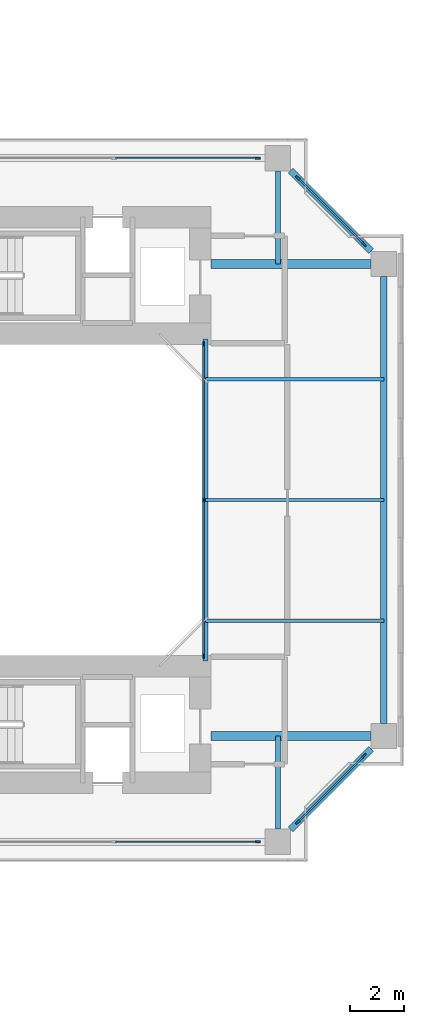
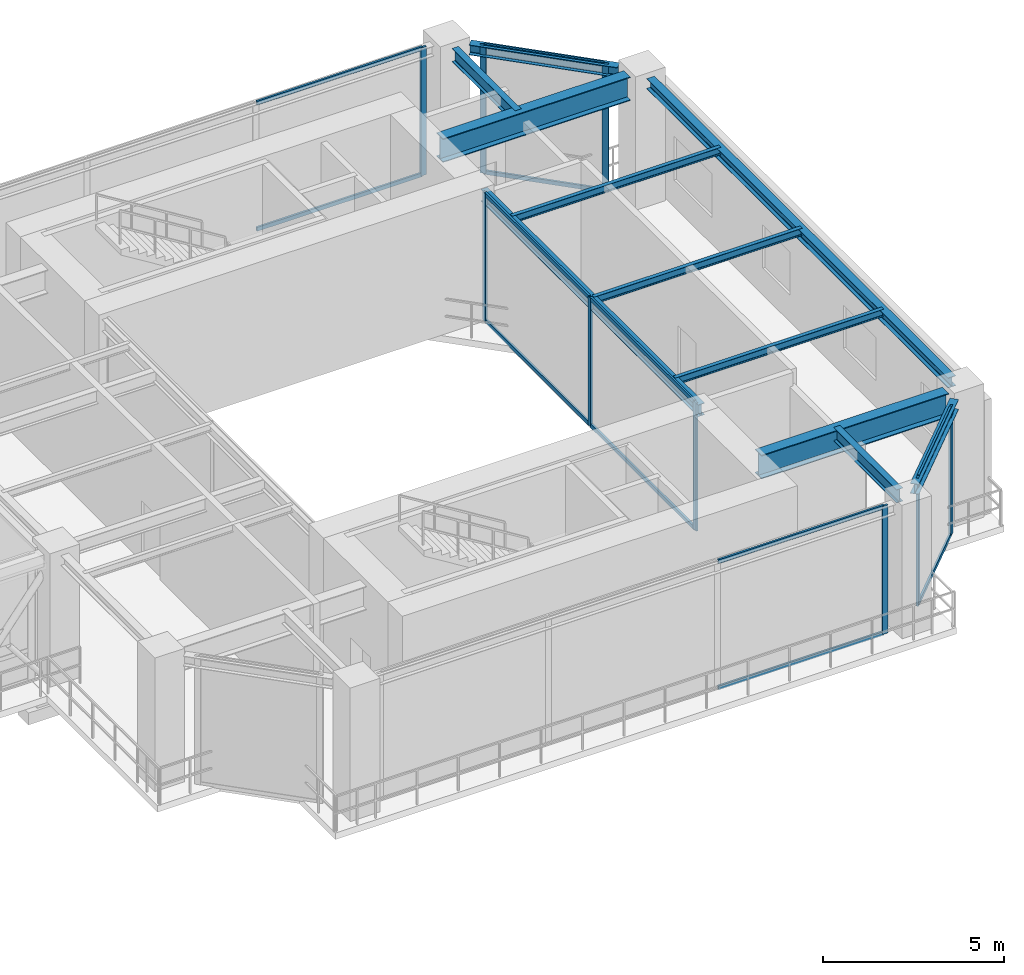
# One storey, part 10 of 26: 21 members, 11 beams, 5 elements without a shape of their own.
"""IFC4 building model written with IfcOpenShell, lengths in metres."""

from ifc_helpers import new_model, si_unit, direction, frame, origin, origin_2d, place, context, subcontext, project, spatial, rectangle, i_section, extrude, source, transform, mapped, material, layer, layer_set, material_profile, profile_set, type_object, element, aggregate, save


model = new_model("IFC4")

# Units and contexts
model_context = context("Model", 3, precision=1e-05, world=origin(), true_north=direction((0.0, 1.0)))
body_context = subcontext(model_context, "Body", "Model", "MODEL_VIEW")
ifc_project = project(units=[si_unit("LENGTHUNIT", "METRE"), si_unit("AREAUNIT", "SQUARE_METRE"), si_unit("VOLUMEUNIT", "CUBIC_METRE"), si_unit("PLANEANGLEUNIT", "RADIAN"), si_unit("MASSUNIT", "GRAM", prefix="KILO"), si_unit("THERMODYNAMICTEMPERATUREUNIT", "KELVIN"), si_unit("POWERUNIT", "WATT")], contexts=[model_context])

# Site, building, storey
site_placement = place(None, origin())
site = spatial("IfcSite", under=ifc_project, at=site_placement, CompositionType="ELEMENT")
building_placement = place(site_placement, origin())
building = spatial("IfcBuilding", under=site, at=building_placement, Name="Qiaomeng Ring Towers", CompositionType="ELEMENT")
storey_placement = place(building_placement, frame((0.0, 0.0, 45.75)))
storey = spatial("IfcBuildingStorey", under=building, at=storey_placement, Name="L12", CompositionType="ELEMENT", Elevation=45.75)

# Beams
ifc_material_1 = material(Name="Steel Q355B", Category="steel")
ifc_material_profile_1 = material_profile(ifc_material_1, i_section(OverallWidth=0.25, OverallDepth=0.340087890625, WebThickness=0.009033203125, FlangeThickness=0.013916015625, FilletRadius=0.02001953125, at=origin_2d()), Name="HM 340x250x9x14")
ifc_profile_set_1 = profile_set([ifc_material_profile_1], Name="Steel Q355B")
beam_type_1 = type_object("IfcBeamType", Name="STR-BM-HM340", PredefinedType="SPANDREL", material=ifc_profile_set_1)
shared_shape_1 = source(origin(), body_context, "Body", "SweptSolid", [
    extrude(i_section(OverallWidth=0.25, OverallDepth=0.340087890625, WebThickness=0.009033203125, FlangeThickness=0.013916015625, FilletRadius=0.02001953125, at=origin_2d()), origin(), (0.0, 0.0, 1.0), 16.65185546875),
])
beam_1_placement = place(storey_placement, frame((73.25, 14.674072265625, 4.14990234375), z_axis=(0.0, 1.0, 0.0), x_axis=(-1.0, 0.0, 0.0)))
element("IfcBeam", 1, at=beam_1_placement, inside=storey, type_object=beam_type_1, Name="L12 beam STR-SP-L12-T2-E1-E2", PredefinedType="SPANDREL", context=body_context, shape_type="MappedRepresentation", body=[
    mapped(shared_shape_1, transform((0.0, 0.0, 0.0), x_axis=(1.0, 0.0, 0.0), y_axis=(0.0, 1.0, 0.0), z_axis=(0.0, 0.0, 1.0), scale=1.0)),
])
shared_shape_2 = source(origin(), body_context, "Body", "SweptSolid", [
    extrude(i_section(OverallWidth=0.25, OverallDepth=0.340087890625, WebThickness=0.009033203125, FlangeThickness=0.013916015625, FilletRadius=0.02001953125, at=origin_2d()), origin(), (0.0, 0.0, 1.0), 4.244384765625),
])
for number, where, z_axis, x_axis, name in (
    (2, (69.7744140625, 10.724365234375, 4.14990234375), (0.707106781187, 0.707106781187, 0.0), (-0.707106781187, 0.707106781187, 0.0), "L12 beam STR-SP-L12-T2-S2-E1"),
    (3, (72.775634765625, 32.2744140625, 4.14990234375), (-0.707106781187, 0.707106781187, 0.0), (-0.707106781187, -0.707106781187, 0.0), "L12 beam STR-SP-L12-T2-E2-N2"),
):
    element("IfcBeam", number, at=place(storey_placement, frame(where, z_axis=z_axis, x_axis=x_axis)), inside=storey, type_object=beam_type_1, Name=name, PredefinedType="SPANDREL", context=body_context, shape_type="MappedRepresentation", body=[
        mapped(shared_shape_2, transform((0.0, 0.0, 0.0), x_axis=(1.0, 0.0, 0.0), y_axis=(0.0, 1.0, 0.0), z_axis=(0.0, 0.0, 1.0), scale=1.0)),
    ])
ifc_material_profile_2 = material_profile(ifc_material_1, i_section(OverallWidth=0.199951171875, OverallDepth=0.39990234375, WebThickness=0.008056640625, FlangeThickness=0.012939453125, FilletRadius=0.01611328125, at=origin_2d()), Name="HN 400x200x8x13")
ifc_profile_set_2 = profile_set([ifc_material_profile_2], Name="Steel Q355B")
beam_type_2 = type_object("IfcBeamType", Name="STR-BM-HN400", PredefinedType="SPANDREL", material=ifc_profile_set_2)
shared_shape_3 = source(origin(), body_context, "Body", "SweptSolid", [
    extrude(i_section(OverallWidth=0.199951171875, OverallDepth=0.39990234375, WebThickness=0.008056640625, FlangeThickness=0.012939453125, FilletRadius=0.01611328125, at=origin_2d()), origin(), (0.0, 0.0, 1.0), 12.0),
])
beam_2_placement = place(storey_placement, frame((66.60009765625, 17.0, 4.1201171875), z_axis=(0.0, 1.0, 0.0), x_axis=(-1.0, 0.0, 0.0)))
element("IfcBeam", 4, at=beam_2_placement, inside=storey, type_object=beam_type_2, Name="L12 beam STR-BM-L12-T2-WELL-E", PredefinedType="SPANDREL", context=body_context, shape_type="MappedRepresentation", body=[
    mapped(shared_shape_3, transform((0.0, 0.0, 0.0), x_axis=(1.0, 0.0, 0.0), y_axis=(0.0, 1.0, 0.0), z_axis=(0.0, 0.0, 1.0), scale=1.0)),
])
ifc_material_2 = material(Name="Steel Q390GJC", Category="steel")
ifc_material_profile_3 = material_profile(ifc_material_2, i_section(OverallWidth=0.35009765625, OverallDepth=0.800048828125, WebThickness=0.01611328125, FlangeThickness=0.028076171875, at=origin_2d()), Name="WH 800x350x16x28")
ifc_profile_set_3 = profile_set([ifc_material_profile_3], Name="Steel Q390GJC")
beam_type_3 = type_object("IfcBeamType", Name="STR-BM-WH800", PredefinedType="BEAM", material=ifc_profile_set_3)
shared_shape_4 = source(origin(), body_context, "Body", "SweptSolid", [
    extrude(i_section(OverallWidth=0.35009765625, OverallDepth=0.800048828125, WebThickness=0.01611328125, FlangeThickness=0.028076171875, at=origin_2d()), origin(), (0.0, 0.0, 1.0), 5.975830078125),
])
for number, where, z_axis, x_axis, name in (
    (5, (66.800048828125, 14.199951171875, 3.919921875), (1.0, 0.0, 0.0), (0.0, 1.0, 0.0), "L12 beam STR-BM-L12-T2-RAD-E1"),
    (6, (66.800048828125, 31.800048828125, 3.919921875), (1.0, 0.0, 0.0), (0.0, 1.0, 0.0), "L12 beam STR-BM-L12-T2-RAD-E2"),
):
    element("IfcBeam", number, at=place(storey_placement, frame(where, z_axis=z_axis, x_axis=x_axis)), inside=storey, type_object=beam_type_3, Name=name, PredefinedType="BEAM", context=body_context, shape_type="MappedRepresentation", body=[
        mapped(shared_shape_4, transform((0.0, 0.0, 0.0), x_axis=(1.0, 0.0, 0.0), y_axis=(0.0, 1.0, 0.0), z_axis=(0.0, 0.0, 1.0), scale=1.0)),
    ])
ifc_material_profile_4 = material_profile(ifc_material_1, i_section(OverallWidth=0.199951171875, OverallDepth=0.449951171875, WebThickness=0.009033203125, FlangeThickness=0.013916015625, FilletRadius=0.01806640625, at=origin_2d()), Name="HN 450x200x9x14")
ifc_profile_set_4 = profile_set([ifc_material_profile_4], Name="Steel Q355B")
beam_type_4 = type_object("IfcBeamType", Name="STR-BM-HN450", PredefinedType="SPANDREL", material=ifc_profile_set_4)
shared_shape_5 = source(origin(), body_context, "Body", "SweptSolid", [
    extrude(i_section(OverallWidth=0.199951171875, OverallDepth=0.449951171875, WebThickness=0.009033203125, FlangeThickness=0.013916015625, FilletRadius=0.01806640625, at=origin_2d()), origin(), (0.0, 0.0, 1.0), 3.475830078125),
])
for number, where, z_axis, x_axis, name in (
    (7, (69.300048828125, 35.27587890625, 4.094970703125), (0.0, -1.0, 0.0), (1.0, 0.0, 0.0), "L12 beam STR-BM-L12-T2-RAD-N2"),
    (8, (69.300048828125, 10.72412109375, 4.094970703125), (0.0, 1.0, 0.0), (-1.0, 0.0, 0.0), "L12 beam STR-BM-L12-T2-RAD-S2"),
):
    element("IfcBeam", number, at=place(storey_placement, frame(where, z_axis=z_axis, x_axis=x_axis)), inside=storey, type_object=beam_type_4, Name=name, PredefinedType="SPANDREL", context=body_context, shape_type="MappedRepresentation", body=[
        mapped(shared_shape_5, transform((0.0, 0.0, 0.0), x_axis=(1.0, 0.0, 0.0), y_axis=(0.0, 1.0, 0.0), z_axis=(0.0, 0.0, 1.0), scale=1.0)),
    ])
ifc_material_profile_5 = material_profile(ifc_material_1, i_section(OverallWidth=0.125, OverallDepth=0.25, WebThickness=0.006103515625, FlangeThickness=0.009033203125, FilletRadius=0.011962890625, at=origin_2d()), Name="HN 250x125x6x9")
ifc_profile_set_5 = profile_set([ifc_material_profile_5], Name="Steel Q355B")
beam_type_5 = type_object("IfcBeamType", Name="STR-BM-HN250", PredefinedType="JOIST", material=ifc_profile_set_5)
shared_shape_6 = source(origin(), body_context, "Body", "SweptSolid", [
    extrude(i_section(OverallWidth=0.125, OverallDepth=0.25, WebThickness=0.006103515625, FlangeThickness=0.009033203125, FilletRadius=0.011962890625, at=origin_2d()), origin(), (0.0, 0.0, 1.0), 6.64990234375),
])
for number, where, z_axis, x_axis, name in (
    (9, (66.60009765625, 18.5, 4.195068359375), (1.0, 0.0, 0.0), (0.0, 1.0, 0.0), "L12 beam STR-JST-L12-T2E-1"),
    (10, (66.60009765625, 23.0, 4.195068359375), (1.0, 0.0, 0.0), (0.0, 1.0, 0.0), "L12 beam STR-JST-L12-T2E-2"),
    (11, (66.60009765625, 27.5, 4.195068359375), (1.0, 0.0, 0.0), (0.0, 1.0, 0.0), "L12 beam STR-JST-L12-T2E-3"),
):
    element("IfcBeam", number, at=place(storey_placement, frame(where, z_axis=z_axis, x_axis=x_axis)), inside=storey, type_object=beam_type_5, Name=name, PredefinedType="JOIST", context=body_context, shape_type="MappedRepresentation", body=[
        mapped(shared_shape_6, transform((0.0, 0.0, 0.0), x_axis=(1.0, 0.0, 0.0), y_axis=(0.0, 1.0, 0.0), z_axis=(0.0, 0.0, 1.0), scale=1.0)),
    ])

# Curtain wall, members
ifc_material_3 = material(Name="Fluorocarbon dark-grey aluminium", Category="aluminium")
ifc_layer_1 = layer(ifc_material_3, 0.139892578125, Name="Fluorocarbon dark-grey aluminium")
ifc_layer_set_1 = layer_set([ifc_layer_1], Name="Fluorocarbon dark-grey aluminium")
curtain_wall_type_1 = type_object("IfcCurtainWallType", Name="ARC-CW-4", PredefinedType="NOTDEFINED", material=ifc_layer_set_1)
curtain_wall_1_placement = place(storey_placement, origin())
curtain_wall_1 = element("IfcCurtainWall", 12, at=curtain_wall_1_placement, inside=storey, type_object=curtain_wall_type_1, Name="L12 Curtain Wall CW4", PredefinedType="NOTDEFINED")
ifc_material_profile_6 = material_profile(ifc_material_3, rectangle(XDim=0.06494140625, YDim=0.1298828125, at=origin_2d()), Name="ALU TRAN 65x130")
ifc_profile_set_6 = profile_set([ifc_material_profile_6], Name="Fluorocarbon dark-grey aluminium")
member_type_1 = type_object("IfcMemberType", Name="ARC-CWT-120", PredefinedType="USERDEFINED", material=ifc_profile_set_6)
shared_shape_7 = source(origin(), body_context, "Body", "SweptSolid", [
    extrude(rectangle(XDim=0.06494140625, YDim=0.1298828125, at=origin_2d()), origin(), (0.0, 0.0, 1.0), 5.75244140625),
])
member_1_placement = place(storey_placement, frame((66.52001953125, 17.215087890625, 0.032470703125), z_axis=(0.0, 1.0, 0.0), x_axis=(-1.0, 0.0, 0.0)))
member_1 = element("IfcMember", 13, at=member_1_placement, type_object=member_type_1, Name="CW4 transom 1.1", ObjectType="TRANSOM", PredefinedType="USERDEFINED", context=body_context, shape_type="MappedRepresentation", body=[
    mapped(shared_shape_7, transform((0.0, 0.0, 0.0), x_axis=(1.0, 0.0, 0.0), y_axis=(0.0, 1.0, 0.0), z_axis=(0.0, 0.0, 1.0), scale=1.0)),
])
member_2_placement = place(storey_placement, frame((66.52001953125, 17.215087890625, 4.28759765625), z_axis=(0.0, 1.0, 0.0), x_axis=(-1.0, 0.0, 0.0)))
member_2 = element("IfcMember", 14, at=member_2_placement, type_object=member_type_1, Name="CW4 transom 1.2", ObjectType="TRANSOM", PredefinedType="USERDEFINED", context=body_context, shape_type="MappedRepresentation", body=[
    mapped(shared_shape_7, transform((0.0, 0.0, 0.0), x_axis=(1.0, 0.0, 0.0), y_axis=(0.0, 1.0, 0.0), z_axis=(0.0, 0.0, 1.0), scale=1.0)),
])
member_3_placement = place(storey_placement, frame((66.52001953125, 23.032470703125, 0.032470703125), z_axis=(0.0, 1.0, 0.0), x_axis=(-1.0, 0.0, 0.0)))
member_3 = element("IfcMember", 15, at=member_3_placement, type_object=member_type_1, Name="CW4 transom 2.1", ObjectType="TRANSOM", PredefinedType="USERDEFINED", context=body_context, shape_type="MappedRepresentation", body=[
    mapped(shared_shape_7, transform((0.0, 0.0, 0.0), x_axis=(1.0, 0.0, 0.0), y_axis=(0.0, 1.0, 0.0), z_axis=(0.0, 0.0, 1.0), scale=1.0)),
])
member_4_placement = place(storey_placement, frame((66.52001953125, 23.032470703125, 4.28759765625), z_axis=(0.0, 1.0, 0.0), x_axis=(-1.0, 0.0, 0.0)))
member_4 = element("IfcMember", 16, at=member_4_placement, type_object=member_type_1, Name="CW4 transom 2.2", ObjectType="TRANSOM", PredefinedType="USERDEFINED", context=body_context, shape_type="MappedRepresentation", body=[
    mapped(shared_shape_7, transform((0.0, 0.0, 0.0), x_axis=(1.0, 0.0, 0.0), y_axis=(0.0, 1.0, 0.0), z_axis=(0.0, 0.0, 1.0), scale=1.0)),
])

ifc_layer_2 = layer(ifc_material_3, 0.14990234375, Name="Fluorocarbon dark-grey aluminium")
ifc_layer_set_2 = layer_set([ifc_layer_2], Name="Fluorocarbon dark-grey aluminium")
curtain_wall_type_2 = type_object("IfcCurtainWallType", Name="ARC-CW-5", PredefinedType="NOTDEFINED", material=ifc_layer_set_2)
curtain_wall_2_placement = place(storey_placement, origin())
curtain_wall_2 = element("IfcCurtainWall", 17, at=curtain_wall_2_placement, inside=storey, type_object=curtain_wall_type_2, Name="L12 Curtain Wall CW5", PredefinedType="NOTDEFINED")
shared_shape_8 = source(origin(), body_context, "Body", "SweptSolid", [
    extrude(rectangle(XDim=0.06494140625, YDim=0.1298828125, at=origin_2d()), origin(), (0.0, 0.0, 1.0), 5.284912109375),
])
member_5_placement = place(storey_placement, frame((63.22998046875, 35.75, 0.032470703125), z_axis=(1.0, 0.0, 0.0), x_axis=(0.0, 1.0, 0.0)))
member_5 = element("IfcMember", 18, at=member_5_placement, type_object=member_type_1, Name="CW5 transom 3.1", ObjectType="TRANSOM", PredefinedType="USERDEFINED", context=body_context, shape_type="MappedRepresentation", body=[
    mapped(shared_shape_8, transform((0.0, 0.0, 0.0), x_axis=(1.0, 0.0, 0.0), y_axis=(0.0, 1.0, 0.0), z_axis=(0.0, 0.0, 1.0), scale=1.0)),
])
member_6_placement = place(storey_placement, frame((63.22998046875, 35.75, 4.28759765625), z_axis=(1.0, 0.0, 0.0), x_axis=(0.0, 1.0, 0.0)))
member_6 = element("IfcMember", 19, at=member_6_placement, type_object=member_type_1, Name="CW5 transom 3.2", ObjectType="TRANSOM", PredefinedType="USERDEFINED", context=body_context, shape_type="MappedRepresentation", body=[
    mapped(shared_shape_8, transform((0.0, 0.0, 0.0), x_axis=(1.0, 0.0, 0.0), y_axis=(0.0, 1.0, 0.0), z_axis=(0.0, 0.0, 1.0), scale=1.0)),
])

curtain_wall_3_placement = place(storey_placement, origin())
curtain_wall_3 = element("IfcCurtainWall", 20, at=curtain_wall_3_placement, inside=storey, type_object=curtain_wall_type_2, Name="L12 Curtain Wall CW5", PredefinedType="NOTDEFINED")
member_7_placement = place(storey_placement, frame((63.22998046875, 10.25, 0.032470703125), z_axis=(1.0, 0.0, 0.0), x_axis=(0.0, 1.0, 0.0)))
member_7 = element("IfcMember", 21, at=member_7_placement, type_object=member_type_1, Name="CW5 transom 3.1", ObjectType="TRANSOM", PredefinedType="USERDEFINED", context=body_context, shape_type="MappedRepresentation", body=[
    mapped(shared_shape_8, transform((0.0, 0.0, 0.0), x_axis=(1.0, 0.0, 0.0), y_axis=(0.0, 1.0, 0.0), z_axis=(0.0, 0.0, 1.0), scale=1.0)),
])
member_8_placement = place(storey_placement, frame((63.22998046875, 10.25, 4.28759765625), z_axis=(1.0, 0.0, 0.0), x_axis=(0.0, 1.0, 0.0)))
member_8 = element("IfcMember", 22, at=member_8_placement, type_object=member_type_1, Name="CW5 transom 3.2", ObjectType="TRANSOM", PredefinedType="USERDEFINED", context=body_context, shape_type="MappedRepresentation", body=[
    mapped(shared_shape_8, transform((0.0, 0.0, 0.0), x_axis=(1.0, 0.0, 0.0), y_axis=(0.0, 1.0, 0.0), z_axis=(0.0, 0.0, 1.0), scale=1.0)),
])

curtain_wall_4_placement = place(storey_placement, origin())
curtain_wall_4 = element("IfcCurtainWall", 23, at=curtain_wall_4_placement, inside=storey, type_object=curtain_wall_type_2, Name="L12 Curtain Wall CW5", PredefinedType="NOTDEFINED")
shared_shape_9 = source(origin(), body_context, "Body", "SweptSolid", [
    extrude(rectangle(XDim=0.06494140625, YDim=0.1298828125, at=origin_2d()), origin(), (0.0, 0.0, 1.0), 3.424072265625),
])
member_9_placement = place(storey_placement, frame((70.064453125, 11.014404296875, 0.032470703125), z_axis=(0.707106781187, 0.707106781187, 0.0), x_axis=(-0.707106781187, 0.707106781187, 0.0)))
member_9 = element("IfcMember", 24, at=member_9_placement, type_object=member_type_1, Name="CW5 transom 1.1", ObjectType="TRANSOM", PredefinedType="USERDEFINED", context=body_context, shape_type="MappedRepresentation", body=[
    mapped(shared_shape_9, transform((0.0, 0.0, 0.0), x_axis=(1.0, 0.0, 0.0), y_axis=(0.0, 1.0, 0.0), z_axis=(0.0, 0.0, 1.0), scale=1.0)),
])
member_10_placement = place(storey_placement, frame((70.064453125, 11.014404296875, 4.28759765625), z_axis=(0.707106781187, 0.707106781187, 0.0), x_axis=(-0.707106781187, 0.707106781187, 0.0)))
member_10 = element("IfcMember", 25, at=member_10_placement, type_object=member_type_1, Name="CW5 transom 1.2", ObjectType="TRANSOM", PredefinedType="USERDEFINED", context=body_context, shape_type="MappedRepresentation", body=[
    mapped(shared_shape_9, transform((0.0, 0.0, 0.0), x_axis=(1.0, 0.0, 0.0), y_axis=(0.0, 1.0, 0.0), z_axis=(0.0, 0.0, 1.0), scale=1.0)),
])

curtain_wall_5_placement = place(storey_placement, origin())
curtain_wall_5 = element("IfcCurtainWall", 26, at=curtain_wall_5_placement, inside=storey, type_object=curtain_wall_type_2, Name="L12 Curtain Wall CW5", PredefinedType="NOTDEFINED")
member_11_placement = place(storey_placement, frame((72.485595703125, 32.564453125, 0.032470703125), z_axis=(-0.707106781187, 0.707106781187, 0.0), x_axis=(-0.707106781187, -0.707106781187, 0.0)))
member_11 = element("IfcMember", 27, at=member_11_placement, type_object=member_type_1, Name="CW5 transom 1.1", ObjectType="TRANSOM", PredefinedType="USERDEFINED", context=body_context, shape_type="MappedRepresentation", body=[
    mapped(shared_shape_9, transform((0.0, 0.0, 0.0), x_axis=(1.0, 0.0, 0.0), y_axis=(0.0, 1.0, 0.0), z_axis=(0.0, 0.0, 1.0), scale=1.0)),
])
member_12_placement = place(storey_placement, frame((72.485595703125, 32.564453125, 4.28759765625), z_axis=(-0.707106781187, 0.707106781187, 0.0), x_axis=(-0.707106781187, -0.707106781187, 0.0)))
member_12 = element("IfcMember", 28, at=member_12_placement, type_object=member_type_1, Name="CW5 transom 1.2", ObjectType="TRANSOM", PredefinedType="USERDEFINED", context=body_context, shape_type="MappedRepresentation", body=[
    mapped(shared_shape_9, transform((0.0, 0.0, 0.0), x_axis=(1.0, 0.0, 0.0), y_axis=(0.0, 1.0, 0.0), z_axis=(0.0, 0.0, 1.0), scale=1.0)),
])

# Member
ifc_material_profile_7 = material_profile(ifc_material_3, rectangle(XDim=0.06494140625, YDim=0.159912109375, at=origin_2d()), Name="ALU MULL 65x160")
ifc_profile_set_7 = profile_set([ifc_material_profile_7], Name="Fluorocarbon dark-grey aluminium")
member_type_2 = type_object("IfcMemberType", Name="ARC-CWM-140", PredefinedType="MULLION", material=ifc_profile_set_7)
shared_shape_10 = source(origin(), body_context, "Body", "SweptSolid", [
    extrude(rectangle(XDim=0.06494140625, YDim=0.159912109375, at=origin_2d()), origin(), (0.0, 0.0, 1.0), 4.320068359375),
])
member_13_placement = place(storey_placement, frame((66.52001953125, 17.1826171875, 0.0), z_axis=(0.0, 0.0, 1.0), x_axis=(-1.0, 0.0, 0.0)))
member_13 = element("IfcMember", 29, at=member_13_placement, type_object=member_type_2, Name="CW4 mullion 1", PredefinedType="MULLION", context=body_context, shape_type="MappedRepresentation", body=[
    mapped(shared_shape_10, transform((0.0, 0.0, 0.0), x_axis=(1.0, 0.0, 0.0), y_axis=(0.0, 1.0, 0.0), z_axis=(0.0, 0.0, 1.0), scale=1.0)),
])

member_14_placement = place(storey_placement, frame((66.52001953125, 23.0, 0.0), z_axis=(0.0, 0.0, 1.0), x_axis=(-1.0, 0.0, 0.0)))
member_14 = element("IfcMember", 30, at=member_14_placement, type_object=member_type_2, Name="CW4 mullion 2", PredefinedType="MULLION", context=body_context, shape_type="MappedRepresentation", body=[
    mapped(shared_shape_10, transform((0.0, 0.0, 0.0), x_axis=(1.0, 0.0, 0.0), y_axis=(0.0, 1.0, 0.0), z_axis=(0.0, 0.0, 1.0), scale=1.0)),
])

member_15_placement = place(storey_placement, frame((66.52001953125, 28.8173828125, 0.0), z_axis=(0.0, 0.0, 1.0), x_axis=(-1.0, 0.0, 0.0)))
member_15 = element("IfcMember", 31, at=member_15_placement, type_object=member_type_2, Name="CW4 mullion 3", PredefinedType="MULLION", context=body_context, shape_type="MappedRepresentation", body=[
    mapped(shared_shape_10, transform((0.0, 0.0, 0.0), x_axis=(1.0, 0.0, 0.0), y_axis=(0.0, 1.0, 0.0), z_axis=(0.0, 0.0, 1.0), scale=1.0)),
])

aggregate(curtain_wall_1, [member_13, member_14, member_15, member_1, member_2, member_3, member_4])

ifc_material_profile_8 = material_profile(ifc_material_3, rectangle(XDim=0.070068359375, YDim=0.179931640625, at=origin_2d()), Name="ALU MULL 70x180")
ifc_profile_set_8 = profile_set([ifc_material_profile_8], Name="Fluorocarbon dark-grey aluminium")
member_type_3 = type_object("IfcMemberType", Name="ARC-CWM-160", PredefinedType="MULLION", material=ifc_profile_set_8)
shared_shape_11 = source(origin(), body_context, "Body", "SweptSolid", [
    extrude(rectangle(XDim=0.070068359375, YDim=0.179931640625, at=origin_2d()), origin(), (0.0, 0.0, 1.0), 4.320068359375),
])
member_16_placement = place(storey_placement, frame((68.550048828125, 35.75, 0.0), z_axis=(0.0, 0.0, 1.0), x_axis=(0.0, 1.0, 0.0)))
member_16 = element("IfcMember", 32, at=member_16_placement, type_object=member_type_3, Name="CW5 mullion 4", PredefinedType="MULLION", context=body_context, shape_type="MappedRepresentation", body=[
    mapped(shared_shape_11, transform((0.0, 0.0, 0.0), x_axis=(1.0, 0.0, 0.0), y_axis=(0.0, 1.0, 0.0), z_axis=(0.0, 0.0, 1.0), scale=1.0)),
])

aggregate(curtain_wall_2, [member_16, member_5, member_6])

member_17_placement = place(storey_placement, frame((70.039794921875, 10.98974609375, 0.0), z_axis=(0.0, 0.0, 1.0), x_axis=(-0.707106781187, 0.707106781187, 0.0)))
member_17 = element("IfcMember", 33, at=member_17_placement, type_object=member_type_3, Name="CW5 mullion 1", PredefinedType="MULLION", context=body_context, shape_type="MappedRepresentation", body=[
    mapped(shared_shape_11, transform((0.0, 0.0, 0.0), x_axis=(1.0, 0.0, 0.0), y_axis=(0.0, 1.0, 0.0), z_axis=(0.0, 0.0, 1.0), scale=1.0)),
])

member_18_placement = place(storey_placement, frame((72.51025390625, 13.460205078125, 0.0), z_axis=(0.0, 0.0, 1.0), x_axis=(-0.707106781187, 0.707106781187, 0.0)))
member_18 = element("IfcMember", 34, at=member_18_placement, type_object=member_type_3, Name="CW5 mullion 2", PredefinedType="MULLION", context=body_context, shape_type="MappedRepresentation", body=[
    mapped(shared_shape_11, transform((0.0, 0.0, 0.0), x_axis=(1.0, 0.0, 0.0), y_axis=(0.0, 1.0, 0.0), z_axis=(0.0, 0.0, 1.0), scale=1.0)),
])

aggregate(curtain_wall_4, [member_17, member_18, member_9, member_10])

member_19_placement = place(storey_placement, frame((72.51025390625, 32.539794921875, 0.0), z_axis=(0.0, 0.0, 1.0), x_axis=(-0.707106781187, -0.707106781187, 0.0)))
member_19 = element("IfcMember", 35, at=member_19_placement, type_object=member_type_3, Name="CW5 mullion 1", PredefinedType="MULLION", context=body_context, shape_type="MappedRepresentation", body=[
    mapped(shared_shape_11, transform((0.0, 0.0, 0.0), x_axis=(1.0, 0.0, 0.0), y_axis=(0.0, 1.0, 0.0), z_axis=(0.0, 0.0, 1.0), scale=1.0)),
])

member_20_placement = place(storey_placement, frame((70.039794921875, 35.01025390625, 0.0), z_axis=(0.0, 0.0, 1.0), x_axis=(-0.707106781187, -0.707106781187, 0.0)))
member_20 = element("IfcMember", 36, at=member_20_placement, type_object=member_type_3, Name="CW5 mullion 2", PredefinedType="MULLION", context=body_context, shape_type="MappedRepresentation", body=[
    mapped(shared_shape_11, transform((0.0, 0.0, 0.0), x_axis=(1.0, 0.0, 0.0), y_axis=(0.0, 1.0, 0.0), z_axis=(0.0, 0.0, 1.0), scale=1.0)),
])

aggregate(curtain_wall_5, [member_19, member_20, member_11, member_12])

member_21_placement = place(storey_placement, frame((68.550048828125, 10.25, 0.0), z_axis=(0.0, 0.0, 1.0), x_axis=(0.0, 1.0, 0.0)))
member_21 = element("IfcMember", 37, at=member_21_placement, type_object=member_type_3, Name="CW5 mullion 4", PredefinedType="MULLION", context=body_context, shape_type="MappedRepresentation", body=[
    mapped(shared_shape_11, transform((0.0, 0.0, 0.0), x_axis=(1.0, 0.0, 0.0), y_axis=(0.0, 1.0, 0.0), z_axis=(0.0, 0.0, 1.0), scale=1.0)),
])

aggregate(curtain_wall_3, [member_21, member_7, member_8])

save(model, "model.ifc")
